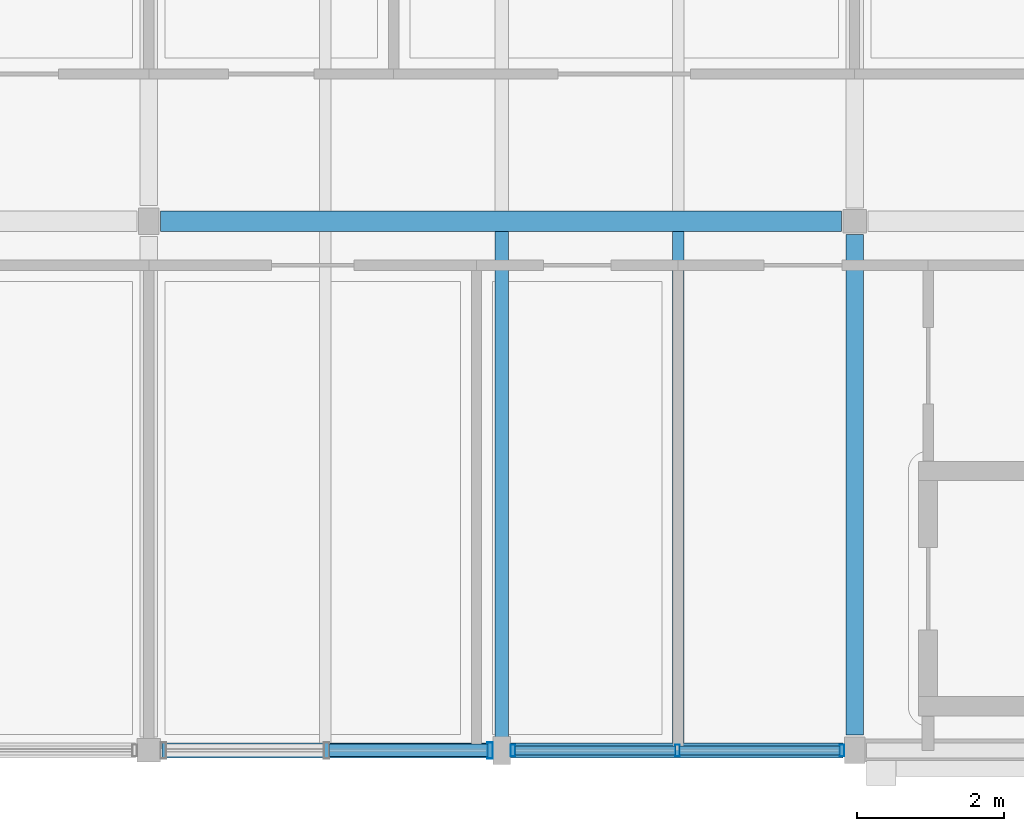
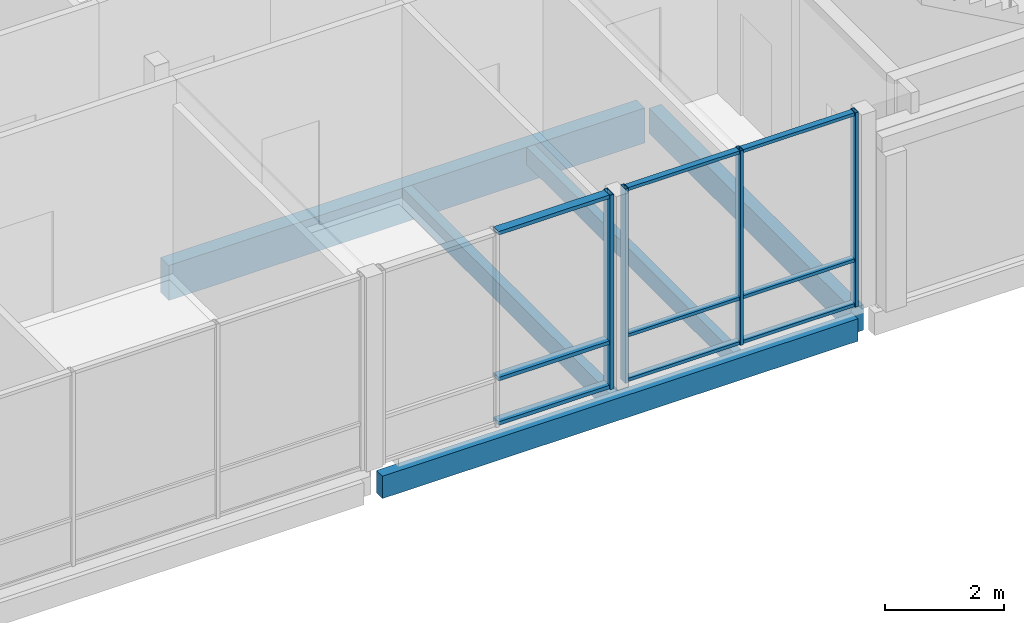
# One storey, part 36 of 115: 13 members, 5 beams, 2 elements without a shape of their own.
"""IFC4 building model written with IfcOpenShell, lengths in metres."""

from ifc_helpers import new_model, si_unit, direction, frame, origin, origin_2d, place, context, subcontext, project, spatial, rectangle, hollow_rectangle, extrude, material, material_profile, profile_set, type_object, element, aggregate, save


model = new_model("IFC4")

# Units and contexts
model_context = context("Model", 3, precision=1e-05, world=origin(), true_north=direction((0.0, 1.0)))
body_context = subcontext(model_context, "Body", "Model", "MODEL_VIEW")
ifc_project = project(units=[si_unit("LENGTHUNIT", "METRE"), si_unit("AREAUNIT", "SQUARE_METRE"), si_unit("VOLUMEUNIT", "CUBIC_METRE"), si_unit("PLANEANGLEUNIT", "RADIAN"), si_unit("MASSUNIT", "GRAM", prefix="KILO")], contexts=[model_context])

# Site, building, storey
site_placement = place(None, origin())
site = spatial("IfcSite", under=ifc_project, at=site_placement, CompositionType="ELEMENT")
building_placement = place(site_placement, origin())
building = spatial("IfcBuilding", under=site, at=building_placement, Name="Hawrajan Terrace Health Centre", CompositionType="ELEMENT")
storey_placement = place(building_placement, frame((0.0, 0.0, 9.0)))
storey = spatial("IfcBuildingStorey", under=building, at=storey_placement, Name="L02", CompositionType="ELEMENT", Elevation=9.0)

# Curtain wall, members
ifc_material_1 = material(Name="Anodized bronze aluminium and low-E solar glazing", Category="aluminium")
curtain_wall_type_1 = type_object("IfcCurtainWallType", Name="CW_Terrace_SeriesK1", PredefinedType="USERDEFINED", material=ifc_material_1)
curtain_wall_1_placement = place(storey_placement, origin())
curtain_wall_1 = element("IfcCurtainWall", 1, at=curtain_wall_1_placement, inside=storey, type_object=curtain_wall_type_1, Name="Curtain wall CW-L02-141", ObjectType="UNITISED CURTAIN WALL", PredefinedType="USERDEFINED")
ifc_material_2 = material(Name="Anodized bronze aluminium 6063-T6", Category="aluminium")
ifc_material_profile_1 = material_profile(ifc_material_2, hollow_rectangle(XDim=0.06494140625, YDim=0.159912109375, WallThickness=0.00390625, at=origin_2d()), Name="CW MUL 65x160")
ifc_profile_set_1 = profile_set([ifc_material_profile_1], Name="Anodized bronze aluminium 6063-T6")
member_type_1 = type_object("IfcMemberType", Name="CWMullion_65x160", PredefinedType="MULLION", material=ifc_profile_set_1)
member_1_placement = place(storey_placement, frame((86.3525390625, 4.199951171875, -0.0048828125), z_axis=(0.0, 0.0, 1.0), x_axis=(1.0, 0.0, 0.0)))
member_1 = element("IfcMember", 2, at=member_1_placement, type_object=member_type_1, Name="Mullion CW-L02-141-M1", PredefinedType="MULLION", context=body_context, shape_type="SweptSolid", body=[
    extrude(hollow_rectangle(XDim=0.06494140625, YDim=0.159912109375, WallThickness=0.00390625, at=origin_2d()), origin(), (0.0, 0.0, 1.0), 4.0),
])
member_2_placement = place(storey_placement, frame((88.590087890625, 4.199951171875, -0.0048828125), z_axis=(0.0, 0.0, 1.0), x_axis=(1.0, 0.0, 0.0)))
member_2 = element("IfcMember", 3, at=member_2_placement, type_object=member_type_1, Name="Mullion CW-L02-141-M2", PredefinedType="MULLION", context=body_context, shape_type="SweptSolid", body=[
    extrude(hollow_rectangle(XDim=0.06494140625, YDim=0.159912109375, WallThickness=0.00390625, at=origin_2d()), origin(), (0.0, 0.0, 1.0), 4.0),
])
member_3_placement = place(storey_placement, frame((90.827392578125, 4.199951171875, -0.0048828125), z_axis=(0.0, 0.0, 1.0), x_axis=(1.0, 0.0, 0.0)))
member_3 = element("IfcMember", 4, at=member_3_placement, type_object=member_type_1, Name="Mullion CW-L02-141-M3", PredefinedType="MULLION", context=body_context, shape_type="SweptSolid", body=[
    extrude(hollow_rectangle(XDim=0.06494140625, YDim=0.159912109375, WallThickness=0.00390625, at=origin_2d()), origin(), (0.0, 0.0, 1.0), 4.0),
])

# Curtain wall, member
curtain_wall_type_2 = type_object("IfcCurtainWallType", Name="CW_Bridge_SeriesJ1", PredefinedType="USERDEFINED", material=ifc_material_1)
curtain_wall_2_placement = place(storey_placement, origin())
curtain_wall_2 = element("IfcCurtainWall", 5, at=curtain_wall_2_placement, inside=storey, type_object=curtain_wall_type_2, Name="Curtain wall CW-L02-140", ObjectType="UNITISED CURTAIN WALL", PredefinedType="USERDEFINED")
ifc_material_profile_2 = material_profile(ifc_material_2, hollow_rectangle(XDim=0.074951171875, YDim=0.219970703125, WallThickness=0.0048828125, at=origin_2d()), Name="CW MUL 75x220")
ifc_profile_set_2 = profile_set([ifc_material_profile_2], Name="Anodized bronze aluminium 6063-T6")
member_type_2 = type_object("IfcMemberType", Name="CWMullion_75x220", PredefinedType="MULLION", material=ifc_profile_set_2)
member_4_placement = place(storey_placement, frame((86.04248046875, 4.199951171875, -0.0048828125), z_axis=(0.0, 0.0, 1.0), x_axis=(1.0, 0.0, 0.0)))
member_4 = element("IfcMember", 6, at=member_4_placement, type_object=member_type_2, Name="Mullion CW-L02-140-M3", PredefinedType="MULLION", context=body_context, shape_type="SweptSolid", body=[
    extrude(hollow_rectangle(XDim=0.074951171875, YDim=0.219970703125, WallThickness=0.0048828125, at=origin_2d()), origin(), (0.0, 0.0, 1.0), 4.0),
])

# Member
ifc_material_profile_3 = material_profile(ifc_material_2, hollow_rectangle(XDim=0.06494140625, YDim=0.1201171875, WallThickness=0.00341796875, at=origin_2d()), Name="CW TRN 65x120")
ifc_profile_set_3 = profile_set([ifc_material_profile_3], Name="Anodized bronze aluminium 6063-T6")
member_type_3 = type_object("IfcMemberType", Name="CWTransom_65x120", PredefinedType="USERDEFINED", material=ifc_profile_set_3)
member_5_placement = place(storey_placement, frame((86.37890625, 4.199951171875, 0.032470703125), z_axis=(1.0, 0.0, 0.0), x_axis=(0.0, 0.0, 1.0)))
member_5 = element("IfcMember", 7, at=member_5_placement, type_object=member_type_3, Name="Transom CW-L02-141-T1-1", ObjectType="TRANSOM", PredefinedType="USERDEFINED", context=body_context, shape_type="SweptSolid", body=[
    extrude(hollow_rectangle(XDim=0.06494140625, YDim=0.1201171875, WallThickness=0.00341796875, at=origin_2d()), origin(), (0.0, 0.0, 1.0), 2.1845703125),
])

member_6_placement = place(storey_placement, frame((86.37890625, 4.199951171875, 0.949951171875), z_axis=(1.0, 0.0, 0.0), x_axis=(0.0, 0.0, 1.0)))
member_6 = element("IfcMember", 8, at=member_6_placement, type_object=member_type_3, Name="Transom CW-L02-141-T1-2", ObjectType="TRANSOM", PredefinedType="USERDEFINED", context=body_context, shape_type="SweptSolid", body=[
    extrude(hollow_rectangle(XDim=0.06494140625, YDim=0.1201171875, WallThickness=0.00341796875, at=origin_2d()), origin(), (0.0, 0.0, 1.0), 2.1845703125),
])

member_7_placement = place(storey_placement, frame((86.37890625, 4.199951171875, 3.95751953125), z_axis=(1.0, 0.0, 0.0), x_axis=(0.0, 0.0, 1.0)))
member_7 = element("IfcMember", 9, at=member_7_placement, type_object=member_type_3, Name="Transom CW-L02-141-T1-3", ObjectType="TRANSOM", PredefinedType="USERDEFINED", context=body_context, shape_type="SweptSolid", body=[
    extrude(hollow_rectangle(XDim=0.06494140625, YDim=0.1201171875, WallThickness=0.00341796875, at=origin_2d()), origin(), (0.0, 0.0, 1.0), 2.1845703125),
])

member_8_placement = place(storey_placement, frame((88.616455078125, 4.199951171875, 0.032470703125), z_axis=(1.0, 0.0, 0.0), x_axis=(0.0, 0.0, 1.0)))
member_8 = element("IfcMember", 10, at=member_8_placement, type_object=member_type_3, Name="Transom CW-L02-141-T2-1", ObjectType="TRANSOM", PredefinedType="USERDEFINED", context=body_context, shape_type="SweptSolid", body=[
    extrude(hollow_rectangle(XDim=0.06494140625, YDim=0.1201171875, WallThickness=0.00341796875, at=origin_2d()), origin(), (0.0, 0.0, 1.0), 2.1845703125),
])

member_9_placement = place(storey_placement, frame((88.616455078125, 4.199951171875, 0.949951171875), z_axis=(1.0, 0.0, 0.0), x_axis=(0.0, 0.0, 1.0)))
member_9 = element("IfcMember", 11, at=member_9_placement, type_object=member_type_3, Name="Transom CW-L02-141-T2-2", ObjectType="TRANSOM", PredefinedType="USERDEFINED", context=body_context, shape_type="SweptSolid", body=[
    extrude(hollow_rectangle(XDim=0.06494140625, YDim=0.1201171875, WallThickness=0.00341796875, at=origin_2d()), origin(), (0.0, 0.0, 1.0), 2.1845703125),
])

member_10_placement = place(storey_placement, frame((88.616455078125, 4.199951171875, 3.95751953125), z_axis=(1.0, 0.0, 0.0), x_axis=(0.0, 0.0, 1.0)))
member_10 = element("IfcMember", 12, at=member_10_placement, type_object=member_type_3, Name="Transom CW-L02-141-T2-3", ObjectType="TRANSOM", PredefinedType="USERDEFINED", context=body_context, shape_type="SweptSolid", body=[
    extrude(hollow_rectangle(XDim=0.06494140625, YDim=0.1201171875, WallThickness=0.00341796875, at=origin_2d()), origin(), (0.0, 0.0, 1.0), 2.1845703125),
])

aggregate(curtain_wall_1, [member_1, member_2, member_3, member_5, member_6, member_7, member_8, member_9, member_10])

ifc_material_profile_4 = material_profile(ifc_material_2, hollow_rectangle(XDim=0.074951171875, YDim=0.169921875, WallThickness=0.00439453125, at=origin_2d()), Name="CW TRN 75x170")
ifc_profile_set_4 = profile_set([ifc_material_profile_4], Name="Anodized bronze aluminium 6063-T6")
member_type_4 = type_object("IfcMemberType", Name="CWTransom_75x170", PredefinedType="USERDEFINED", material=ifc_profile_set_4)
member_11_placement = place(storey_placement, frame((83.8515625, 4.199951171875, 0.03759765625), z_axis=(1.0, 0.0, 0.0), x_axis=(0.0, 0.0, 1.0)))
member_11 = element("IfcMember", 13, at=member_11_placement, type_object=member_type_4, Name="Transom CW-L02-140-T2-1", ObjectType="TRANSOM", PredefinedType="USERDEFINED", context=body_context, shape_type="SweptSolid", body=[
    extrude(hollow_rectangle(XDim=0.074951171875, YDim=0.169921875, WallThickness=0.00439453125, at=origin_2d()), origin(), (0.0, 0.0, 1.0), 2.159423828125),
])

member_12_placement = place(storey_placement, frame((83.8515625, 4.199951171875, 0.949951171875), z_axis=(1.0, 0.0, 0.0), x_axis=(0.0, 0.0, 1.0)))
member_12 = element("IfcMember", 14, at=member_12_placement, type_object=member_type_4, Name="Transom CW-L02-140-T2-2", ObjectType="TRANSOM", PredefinedType="USERDEFINED", context=body_context, shape_type="SweptSolid", body=[
    extrude(hollow_rectangle(XDim=0.074951171875, YDim=0.169921875, WallThickness=0.00439453125, at=origin_2d()), origin(), (0.0, 0.0, 1.0), 2.159423828125),
])

member_13_placement = place(storey_placement, frame((83.8515625, 4.199951171875, 3.952392578125), z_axis=(1.0, 0.0, 0.0), x_axis=(0.0, 0.0, 1.0)))
member_13 = element("IfcMember", 15, at=member_13_placement, type_object=member_type_4, Name="Transom CW-L02-140-T2-3", ObjectType="TRANSOM", PredefinedType="USERDEFINED", context=body_context, shape_type="SweptSolid", body=[
    extrude(hollow_rectangle(XDim=0.074951171875, YDim=0.169921875, WallThickness=0.00439453125, at=origin_2d()), origin(), (0.0, 0.0, 1.0), 2.159423828125),
])

aggregate(curtain_wall_2, [member_4, member_11, member_12, member_13])

# Beams
ifc_material_3 = material(Name="Glulam GL32h", Category="wood")
ifc_material_profile_5 = material_profile(ifc_material_3, rectangle(XDim=0.239990234375, YDim=0.52001953125, at=origin_2d()), Name="GL BM 240x520")
ifc_profile_set_5 = profile_set([ifc_material_profile_5], Name="Glulam GL32h")
beam_type_1 = type_object("IfcBeamType", Name="GlulamGirder_240x520", PredefinedType="BEAM", material=ifc_profile_set_5)
beam_1_placement = place(storey_placement, frame((91.0, 4.409912109375, -0.5), z_axis=(0.0, 1.0, 0.0), x_axis=(-1.0, 0.0, 0.0)))
element("IfcBeam", 16, at=beam_1_placement, inside=storey, type_object=beam_type_1, Name="Beam BM-Y-L02-C-X12-1", PredefinedType="BEAM", context=body_context, shape_type="SweptSolid", body=[
    extrude(rectangle(XDim=0.239990234375, YDim=0.52001953125, at=origin_2d()), origin(), (0.0, 0.0, 1.0), 6.81005859375),
])
ifc_material_profile_6 = material_profile(ifc_material_3, rectangle(XDim=0.280029296875, YDim=0.719970703125, at=origin_2d()), Name="GL BM 280x720")
ifc_profile_set_6 = profile_set([ifc_material_profile_6], Name="Glulam GL32h")
beam_type_2 = type_object("IfcBeamType", Name="GlulamGirder_280x720", PredefinedType="BEAM", material=ifc_profile_set_6)
beam_2_placement = place(storey_placement, frame((81.56005859375, 11.39990234375, -0.60009765625), z_axis=(1.0, 0.0, 0.0), x_axis=(0.0, 1.0, 0.0)))
element("IfcBeam", 17, at=beam_2_placement, inside=storey, type_object=beam_type_2, Name="Beam BM-X-L02-C-11-Y2", PredefinedType="BEAM", context=body_context, shape_type="SweptSolid", body=[
    extrude(rectangle(XDim=0.280029296875, YDim=0.719970703125, at=origin_2d()), origin(), (0.0, 0.0, 1.0), 9.260009765625),
])
ifc_material_4 = material(Name="Glulam GL28h", Category="wood")
ifc_material_profile_7 = material_profile(ifc_material_4, rectangle(XDim=0.159912109375, YDim=0.360107421875, at=origin_2d()), Name="GL JST 160x360")
ifc_profile_set_7 = profile_set([ifc_material_profile_7], Name="Glulam GL28h")
beam_type_3 = type_object("IfcBeamType", Name="GlulamJoist_160x360", PredefinedType="JOIST", material=ifc_profile_set_7)
beam_3_placement = place(storey_placement, frame((88.60009765625, 4.300048828125, -0.419921875), z_axis=(0.0, 1.0, 0.0), x_axis=(-1.0, 0.0, 0.0)))
element("IfcBeam", 18, at=beam_3_placement, inside=storey, type_object=beam_type_3, Name="Secondary joist JST-L02-C-11-1-3", PredefinedType="JOIST", context=body_context, shape_type="SweptSolid", body=[
    extrude(rectangle(XDim=0.159912109375, YDim=0.360107421875, at=origin_2d()), origin(), (0.0, 0.0, 1.0), 6.9599609375),
])
ifc_material_profile_8 = material_profile(ifc_material_4, rectangle(XDim=0.179931640625, YDim=0.39990234375, at=origin_2d()), Name="GL JST 180x400")
ifc_profile_set_8 = profile_set([ifc_material_profile_8], Name="Glulam GL28h")
beam_type_4 = type_object("IfcBeamType", Name="GlulamJoist_180x400", PredefinedType="JOIST", material=ifc_profile_set_8)
beam_4_placement = place(storey_placement, frame((86.199951171875, 4.300048828125, -0.43994140625), z_axis=(0.0, 1.0, 0.0), x_axis=(-1.0, 0.0, 0.0)))
element("IfcBeam", 19, at=beam_4_placement, inside=storey, type_object=beam_type_4, Name="Secondary joist JST-L02-C-11-1-2", PredefinedType="JOIST", context=body_context, shape_type="SweptSolid", body=[
    extrude(rectangle(XDim=0.179931640625, YDim=0.39990234375, at=origin_2d()), origin(), (0.0, 0.0, 1.0), 6.9599609375),
])
ifc_material_profile_9 = material_profile(ifc_material_3, rectangle(XDim=0.199951171875, YDim=0.4599609375, at=origin_2d()), Name="GL SP 200x460")
ifc_profile_set_9 = profile_set([ifc_material_profile_9], Name="Glulam GL32h")
beam_type_5 = type_object("IfcBeamType", Name="GlulamSpandrel_200x460", PredefinedType="SPANDREL", material=ifc_profile_set_9)
beam_5_placement = place(storey_placement, frame((81.580078125, 4.199951171875, -0.469970703125), z_axis=(1.0, 0.0, 0.0), x_axis=(0.0, 1.0, 0.0)))
element("IfcBeam", 20, at=beam_5_placement, inside=storey, type_object=beam_type_5, Name="Beam BM-X-L02-C-11-Y1", PredefinedType="SPANDREL", context=body_context, shape_type="SweptSolid", body=[
    extrude(rectangle(XDim=0.199951171875, YDim=0.4599609375, at=origin_2d()), origin(), (0.0, 0.0, 1.0), 9.260009765625),
])

save(model, "model.ifc")
